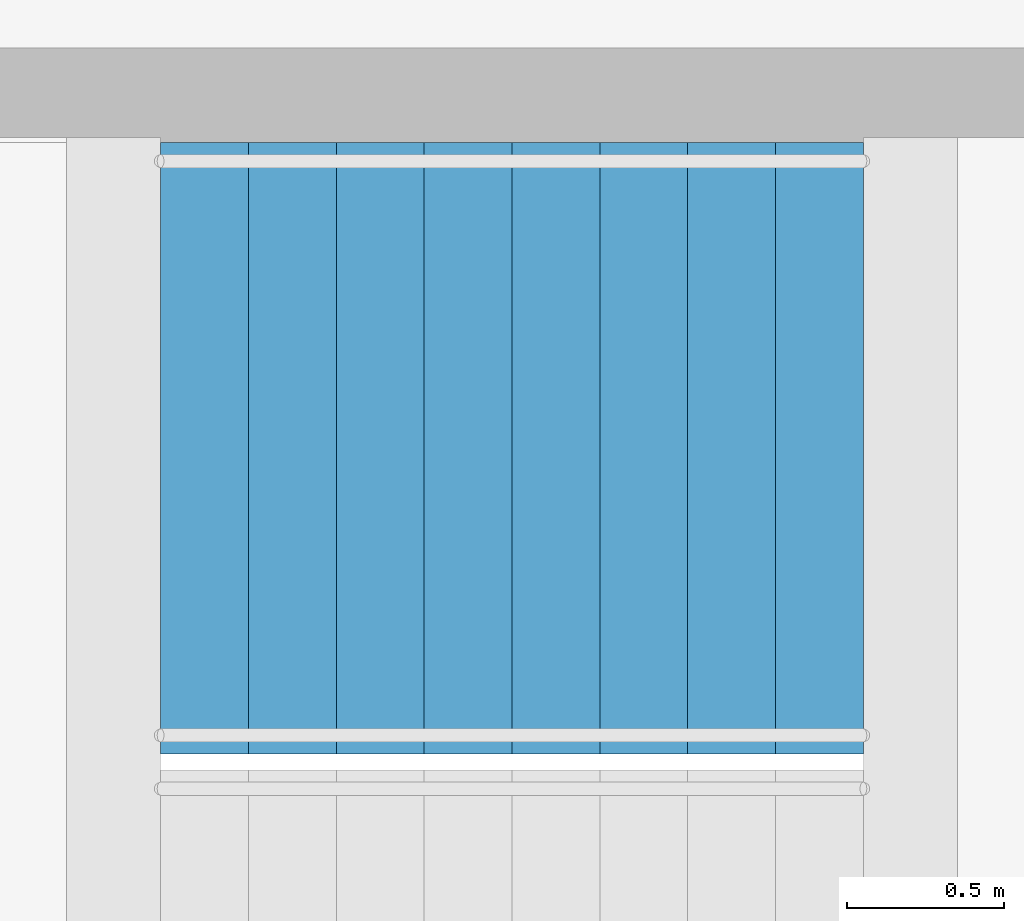
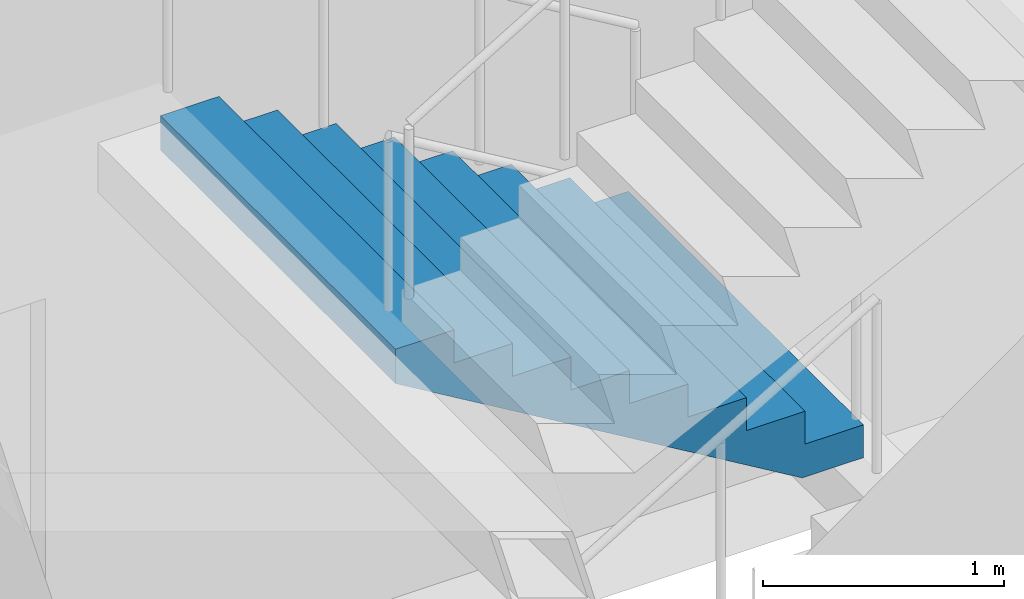
# One storey, part 31 of 57: 1 stair flight, 1 element without a shape of its own.
"""IFC4 building model written with IfcOpenShell, lengths in metres."""

import ifcopenshell
import ifcopenshell.guid

model = None  # the IFC model being written
_history = None  # IfcOwnerHistory: only IFC2X3 demands one
_inside = {}  # id of a spatial element -> (the spatial element, [elements in it])
_under = {}  # id of a project, library or spatial element -> (it, [spatial elements below it])
_declared = {}  # id of a project -> (the project, [libraries it declares])
_typed = {}  # id of a type object -> (the type object, [elements of that type])
_made_of = {}  # id of a material, layer set ... -> (it, [elements and type objects made of it])


def new_model(schema):
    """Start an empty IFC model of exactly this schema.

    Asked for "IFC4X3", IfcOpenShell would pick the latest addendum, in which some entities
    have other attributes; the version numbers below select the first issue.
    IFC2X3 requires an IfcOwnerHistory on every rooted entity: one is made here for all.
    """
    global model, _history
    if schema == "IFC4X3":
        model = ifcopenshell.file(schema_version=(4, 3, 0, 0))
    else:
        model = ifcopenshell.file(schema=schema)
    _inside.clear()
    _under.clear()
    _declared.clear()
    _typed.clear()
    _made_of.clear()
    _history = None
    if model.schema == "IFC2X3":
        org = make("IfcOrganization", Name="unknown")
        user = make(
            "IfcPersonAndOrganization",
            ThePerson=make("IfcPerson", FamilyName="unknown"),
            TheOrganization=org,
        )
        app = make(
            "IfcApplication",
            ApplicationDeveloper=org,
            Version="unknown",
            ApplicationFullName="unknown",
            ApplicationIdentifier="unknown",
        )
        _history = make(
            "IfcOwnerHistory",
            OwningUser=user,
            OwningApplication=app,
            ChangeAction="ADDED",
            CreationDate=0,
        )
    return model


def make(cls, **values):
    """One entity of the class cls with the attributes given. An attribute that is None is left unset."""
    return model.create_entity(
        cls, **{name: value for name, value in values.items() if value is not None}
    )


def rooted(cls, **values):
    """An entity with a GlobalId (a new one), such as an element, a storey or a relation."""
    return make(cls, GlobalId=ifcopenshell.guid.new(), OwnerHistory=_history, **values)


def si_unit(unit_type, name, prefix=None):
    """IfcSIUnit, for example si_unit("LENGTHUNIT", "METRE", prefix="MILLI")."""
    return make("IfcSIUnit", UnitType=unit_type, Prefix=prefix, Name=name)


def assignment(units):
    """IfcUnitAssignment: the units of a project."""
    return None if units is None else make("IfcUnitAssignment", Units=units)


def point(xyz):
    """IfcCartesianPoint."""
    return None if xyz is None else make("IfcCartesianPoint", Coordinates=xyz)


def direction(xyz):
    """IfcDirection."""
    return None if xyz is None else make("IfcDirection", DirectionRatios=xyz)


def frame(location, z_axis=None, x_axis=None):
    """IfcAxis2Placement3D, a coordinate frame: its origin and axes. An axis left out is left unset."""
    return make(
        "IfcAxis2Placement3D",
        Location=point(location),
        Axis=direction(z_axis),
        RefDirection=direction(x_axis),
    )


def origin():
    """The frame at (0, 0, 0) with its axes left unset."""
    return frame((0.0, 0.0, 0.0))


def place(relative_to, where):
    """IfcLocalPlacement: puts the frame where relative to a parent placement (None: the world)."""
    return make(
        "IfcLocalPlacement", PlacementRelTo=relative_to, RelativePlacement=where
    )


def context(
    kind, dimensions, precision=None, world=None, true_north=None, identifier=None
):
    """IfcGeometricRepresentationContext, for example the 3D "Model" context."""
    return make(
        "IfcGeometricRepresentationContext",
        ContextIdentifier=identifier,
        ContextType=kind,
        CoordinateSpaceDimension=dimensions,
        Precision=precision,
        WorldCoordinateSystem=world,
        TrueNorth=true_north,
    )


def subcontext(parent, identifier, kind, view, scale=None):
    """IfcGeometricRepresentationSubContext, for example "Body" below "Model"."""
    return make(
        "IfcGeometricRepresentationSubContext",
        ContextIdentifier=identifier,
        ContextType=kind,
        ParentContext=parent,
        TargetScale=scale,
        TargetView=view,
    )


def project(units=None, contexts=None):
    """IfcProject with its units and contexts."""
    return rooted(
        "IfcProject",
        Name="project",
        RepresentationContexts=contexts,
        UnitsInContext=assignment(units),
    )


def spatial(cls, under=None, at=None, **own):
    """A site, building, storey or space (cls), placed at a placement, below another one or the project."""
    s = rooted(cls, ObjectPlacement=at, **own)
    if under is not None:
        _under.setdefault(under.id(), (under, []))[1].append(s)
    return s


def point_list(points):
    """IfcCartesianPointList2D or 3D."""
    cls = (
        "IfcCartesianPointList2D" if len(points[0]) == 2 else "IfcCartesianPointList3D"
    )
    return make(cls, CoordList=points)


def triangles(points, corners, closed=None, point_numbers=None):
    """IfcTriangulatedFaceSet: each triangle names its three corners, points numbered from 1."""
    return make(
        "IfcTriangulatedFaceSet",
        Coordinates=point_list(points),
        Closed=closed,
        CoordIndex=corners,
        PnIndex=point_numbers,
    )


def shape(context_of_items, identifier, shape_type, items):
    """IfcShapeRepresentation: the items that make up one representation, for example the "Body"."""
    return make(
        "IfcShapeRepresentation",
        ContextOfItems=context_of_items,
        RepresentationIdentifier=identifier,
        RepresentationType=shape_type,
        Items=items,
    )


def material(Name=None, Category=None):
    """IfcMaterial."""
    return make("IfcMaterial", Name=Name, Category=Category)


def made_of(thing, what):
    """Note that an element or type object is made of a material, layer set ...; save() writes the relation."""
    if what is not None:
        _made_of.setdefault(what.id(), (what, []))[1].append(thing)
    return thing


def type_object(cls, material=None, **own):
    """A type object (cls), such as IfcWallType, which elements share."""
    return made_of(rooted(cls, **own), material)


def element(
    cls,
    number,
    at=None,
    inside=None,
    cuts=None,
    type_object=None,
    material=None,
    context=None,
    identifier="Body",
    shape_type=None,
    held_by="IfcProductDefinitionShape",
    body=None,
    shapes=None,
    **own,
):
    """One element of the class cls, such as IfcWall. Its Tag is "e" and its number.

    at: its placement. inside: the storey or other place that contains it. cuts: it is an
    opening in that element (IfcRelVoidsElement). A single representation is given by context,
    identifier, shape_type and body (its items); several are given by shapes. held_by: the class
    of the entity that holds the representations. save() writes the other relations.
    """
    e = rooted(cls, Tag="e%d" % number, ObjectPlacement=at, **own)
    if body is not None:
        shapes = [shape(context, identifier, shape_type, body)]
    if shapes is not None:
        e.Representation = make(held_by, Representations=shapes)
    if inside is not None:
        _inside.setdefault(inside.id(), (inside, []))[1].append(e)
    if cuts is not None:
        rooted(
            "IfcRelVoidsElement", RelatingBuildingElement=cuts, RelatedOpeningElement=e
        )
    if type_object is not None:
        _typed.setdefault(type_object.id(), (type_object, []))[1].append(e)
    return made_of(e, material)


def aggregate(whole, parts):
    """IfcRelAggregates: a whole, such as a stair, and the parts it consists of."""
    return rooted("IfcRelAggregates", RelatingObject=whole, RelatedObjects=parts)


def save(model, path):
    """Write the relations noted so far, then the file.

    IfcRelAggregates (storeys below a building ...), IfcRelContainedInSpatialStructure (elements
    in a storey), IfcRelDefinesByType, IfcRelAssociatesMaterial and IfcRelDeclares: one each for
    every whole, place, type object, material and project.
    """
    for whole, parts in _under.values():
        aggregate(whole, parts)
    for where, things in _inside.values():
        rooted(
            "IfcRelContainedInSpatialStructure",
            RelatedElements=things,
            RelatingStructure=where,
        )
    for kind, things in _typed.values():
        rooted("IfcRelDefinesByType", RelatedObjects=things, RelatingType=kind)
    for what, things in _made_of.values():
        rooted("IfcRelAssociatesMaterial", RelatedObjects=things, RelatingMaterial=what)
    for by, libraries in _declared.values():
        rooted("IfcRelDeclares", RelatingContext=by, RelatedDefinitions=libraries)
    model.write(path)


model = new_model("IFC4")

# Units and contexts
model_context = context("Model", 3, precision=1e-05, world=origin(), true_north=direction((0.0, 1.0)))
body_context = subcontext(model_context, "Body", "Model", "MODEL_VIEW")
ifc_project = project(units=[si_unit("LENGTHUNIT", "METRE"), si_unit("AREAUNIT", "SQUARE_METRE"), si_unit("VOLUMEUNIT", "CUBIC_METRE"), si_unit("PLANEANGLEUNIT", "RADIAN"), si_unit("MASSUNIT", "GRAM", prefix="KILO")], contexts=[model_context])

# Site, building, storey
site_placement = place(None, origin())
site = spatial("IfcSite", under=ifc_project, at=site_placement, CompositionType="ELEMENT")
building_placement = place(site_placement, origin())
building = spatial("IfcBuilding", under=site, at=building_placement, Name="Orbita Commons", CompositionType="ELEMENT")
storey_placement = place(building_placement, origin())
storey = spatial("IfcBuildingStorey", under=building, at=storey_placement, Name="L00", CompositionType="ELEMENT", Elevation=0.0)

# Stair, stair flight
ifc_material_1 = material(Name="Precast concrete C40/50", Category="concrete")
stair_type = type_object("IfcStairType", Name="Exit stair S1 4 flights 9 risers 167", PredefinedType="HALF_TURN_STAIR", material=ifc_material_1)
stair_placement = place(storey_placement, origin())
stair = element("IfcStair", 1, at=stair_placement, inside=storey, type_object=stair_type, Name="Exit stair S1 L00", PredefinedType="HALF_TURN_STAIR")
ifc_material_2 = material(Name="Precast concrete C40/50", Category="concrete")
stair_flight_type = type_object("IfcStairFlightType", Name="Stair flight 9 risers 167 x 280", PredefinedType="STRAIGHT", material=ifc_material_2)
stair_flight_placement = place(storey_placement, frame((22.68994140625, 29.27490234375, 1.5), z_axis=(0.0, 0.0, 1.0), x_axis=(-1.0, 0.0, 0.0)))
stair_flight = element("IfcStairFlight", 2, at=stair_flight_placement, type_object=stair_flight_type, Name="S1 flight 2", NumberOfRisers=9, NumberOfTreads=8, PredefinedType="STRAIGHT", RiserHeight=0.166666667, TreadLength=0.28, context=body_context, shape_type="Tessellation", body=[
    triangles([(0.0, 0.974976, 0.0), (0.0, 0.974976, 0.020833), (0.0, 0.81248, 0.020833), (0.0, 0.81248, 0.0), (0.0, 0.649984, 0.020833), (0.0, 0.649984, 0.0), (0.0, 0.487488, 0.020833), (0.0, 0.487488, 0.0), (0.0, 0.324992, 0.020833), (0.0, 0.324992, 0.0), (0.0, 0.162496, 0.020833), (0.0, 0.162496, 0.0), (0.0, 0.0, 0.020833), (0.0, 0.0, 0.0), (0.0, -0.162496, 0.020833), (0.0, -0.162496, 0.0), (0.0, -0.324992, 0.020833), (0.0, -0.324992, 0.0), (0.0, -0.487488, 0.020833), (0.0, -0.487488, 0.0), (0.0, -0.649984, 0.020833), (0.0, -0.649984, 0.0), (0.0, -0.81248, 0.020833), (0.0, -0.81248, 0.0), (0.0, -0.974976, 0.020833), (0.0, -0.974976, 0.0), (0.0, 0.974976, 0.041667), (0.0, 0.81248, 0.041667), (0.0, 0.649984, 0.041667), (0.0, 0.487488, 0.041667), (0.0, 0.324992, 0.041667), (0.0, 0.162496, 0.041667), (0.0, 0.0, 0.041667), (0.0, -0.162496, 0.041667), (0.0, -0.324992, 0.041667), (0.0, -0.487488, 0.041667), (0.0, -0.649984, 0.041667), (0.0, -0.81248, 0.041667), (0.0, -0.974976, 0.041667), (0.0, 0.974976, 0.0625), (0.0, 0.81248, 0.0625), (0.0, 0.649984, 0.0625), (0.0, 0.487488, 0.0625), (0.0, 0.324992, 0.0625), (0.0, 0.162496, 0.0625), (0.0, 0.0, 0.0625), (0.0, -0.162496, 0.0625), (0.0, -0.324992, 0.0625), (0.0, -0.487488, 0.0625), (0.0, -0.649984, 0.0625), (0.0, -0.81248, 0.0625), (0.0, -0.974976, 0.0625), (0.0, 0.974976, 0.083333), (0.0, 0.81248, 0.083333), (0.0, 0.649984, 0.083333), (0.0, 0.487488, 0.083333), (0.0, 0.324992, 0.083333), (0.0, 0.162496, 0.083333), (0.0, 0.0, 0.083333), (0.0, -0.162496, 0.083333), (0.0, -0.324992, 0.083333), (0.0, -0.487488, 0.083333), (0.0, -0.649984, 0.083333), (0.0, -0.81248, 0.083333), (0.0, -0.974976, 0.083333), (0.0, 0.974976, 0.104167), (0.0, 0.81248, 0.104167), (0.0, 0.649984, 0.104167), (0.0, 0.487488, 0.104167), (0.0, 0.324992, 0.104167), (0.0, 0.162496, 0.104167), (0.0, 0.0, 0.104167), (0.0, -0.162496, 0.104167), (0.0, -0.324992, 0.104167), (0.0, -0.487488, 0.104167), (0.0, -0.649984, 0.104167), (0.0, -0.81248, 0.104167), (0.0, -0.974976, 0.104167), (0.0, 0.974976, 0.125), (0.0, 0.81248, 0.125), (0.0, 0.649984, 0.125), (0.0, 0.487488, 0.125), (0.0, 0.324992, 0.125), (0.0, 0.162496, 0.125), (0.0, 0.0, 0.125), (0.0, -0.162496, 0.125), (0.0, -0.324992, 0.125), (0.0, -0.487488, 0.125), (0.0, -0.649984, 0.125), (0.0, -0.81248, 0.125), (0.0, -0.974976, 0.125), (0.0, 0.974976, 0.145833), (0.0, 0.81248, 0.145833), (0.0, 0.649984, 0.145833), (0.0, 0.487488, 0.145833), (0.0, 0.324992, 0.145833), (0.0, 0.162496, 0.145833), (0.0, 0.0, 0.145833), (0.0, -0.162496, 0.145833), (0.0, -0.324992, 0.145833), (0.0, -0.487488, 0.145833), (0.0, -0.649984, 0.145833), (0.0, -0.81248, 0.145833), (0.0, -0.974976, 0.145833), (0.0, 0.974976, 0.166667), (0.0, 0.81248, 0.166667), (0.0, 0.649984, 0.166667), (0.0, 0.487488, 0.166667), (0.0, 0.324992, 0.166667), (0.0, 0.162496, 0.166667), (0.0, 0.0, 0.166667), (0.0, -0.162496, 0.166667), (0.0, -0.324992, 0.166667), (0.0, -0.487488, 0.166667), (0.0, -0.649984, 0.166667), (0.0, -0.81248, 0.166667), (0.0, -0.974976, 0.166667), (0.28, 0.974976, 0.166667), (0.28, 0.81248, 0.166667), (0.28, 0.649984, 0.166667), (0.28, 0.487488, 0.166667), (0.28, 0.324992, 0.166667), (0.28, 0.162496, 0.166667), (0.28, 0.0, 0.166667), (0.28, -0.162496, 0.166667), (0.28, -0.324992, 0.166667), (0.28, -0.487488, 0.166667), (0.28, -0.649984, 0.166667), (0.28, -0.81248, 0.166667), (0.28, -0.974976, 0.166667), (0.28, 0.974976, 0.333333), (0.28, 0.81248, 0.333333), (0.28, 0.649984, 0.333333), (0.28, 0.487488, 0.333333), (0.28, 0.324992, 0.333333), (0.28, 0.162496, 0.333333), (0.28, 0.0, 0.333333), (0.28, -0.162496, 0.333333), (0.28, -0.324992, 0.333333), (0.28, -0.487488, 0.333333), (0.28, -0.649984, 0.333333), (0.28, -0.81248, 0.333333), (0.28, -0.974976, 0.333333), (0.56, 0.974976, 0.333333), (0.56, 0.81248, 0.333333), (0.56, 0.649984, 0.333333), (0.56, 0.487488, 0.333333), (0.56, 0.324992, 0.333333), (0.56, 0.162496, 0.333333), (0.56, 0.0, 0.333333), (0.56, -0.162496, 0.333333), (0.56, -0.324992, 0.333333), (0.56, -0.487488, 0.333333), (0.56, -0.649984, 0.333333), (0.56, -0.81248, 0.333333), (0.56, -0.974976, 0.333333), (0.56, 0.974976, 0.5), (0.56, 0.81248, 0.5), (0.56, 0.649984, 0.5), (0.56, 0.487488, 0.5), (0.56, 0.324992, 0.5), (0.56, 0.162496, 0.5), (0.56, 0.0, 0.5), (0.56, -0.162496, 0.5), (0.56, -0.324992, 0.5), (0.56, -0.487488, 0.5), (0.56, -0.649984, 0.5), (0.56, -0.81248, 0.5), (0.56, -0.974976, 0.5), (0.84, 0.974976, 0.5), (0.84, 0.81248, 0.5), (0.84, 0.649984, 0.5), (0.84, 0.487488, 0.5), (0.84, 0.324992, 0.5), (0.84, 0.162496, 0.5), (0.84, 0.0, 0.5), (0.84, -0.162496, 0.5), (0.84, -0.324992, 0.5), (0.84, -0.487488, 0.5), (0.84, -0.649984, 0.5), (0.84, -0.81248, 0.5), (0.84, -0.974976, 0.5), (0.84, 0.974976, 0.666667), (0.84, 0.81248, 0.666667), (0.84, 0.649984, 0.666667), (0.84, 0.487488, 0.666667), (0.84, 0.324992, 0.666667), (0.84, 0.162496, 0.666667), (0.84, 0.0, 0.666667), (0.84, -0.162496, 0.666667), (0.84, -0.324992, 0.666667), (0.84, -0.487488, 0.666667), (0.84, -0.649984, 0.666667), (0.84, -0.81248, 0.666667), (0.84, -0.974976, 0.666667), (1.12, 0.974976, 0.666667), (1.12, 0.81248, 0.666667), (1.12, 0.649984, 0.666667), (1.12, 0.487488, 0.666667), (1.12, 0.324992, 0.666667), (1.12, 0.162496, 0.666667), (1.12, 0.0, 0.666667), (1.12, -0.162496, 0.666667), (1.12, -0.324992, 0.666667), (1.12, -0.487488, 0.666667), (1.12, -0.649984, 0.666667), (1.12, -0.81248, 0.666667), (1.12, -0.974976, 0.666667), (1.12, 0.974976, 0.833333), (1.12, 0.81248, 0.833333), (1.12, 0.649984, 0.833333), (1.12, 0.487488, 0.833333), (1.12, 0.324992, 0.833333), (1.12, 0.162496, 0.833333), (1.12, 0.0, 0.833333), (1.12, -0.162496, 0.833333), (1.12, -0.324992, 0.833333), (1.12, -0.487488, 0.833333), (1.12, -0.649984, 0.833333), (1.12, -0.81248, 0.833333), (1.12, -0.974976, 0.833333), (1.4, 0.974976, 0.833333), (1.4, 0.81248, 0.833333), (1.4, 0.649984, 0.833333), (1.4, 0.487488, 0.833333), (1.4, 0.324992, 0.833333), (1.4, 0.162496, 0.833333), (1.4, 0.0, 0.833333), (1.4, -0.162496, 0.833333), (1.4, -0.324992, 0.833333), (1.4, -0.487488, 0.833333), (1.4, -0.649984, 0.833333), (1.4, -0.81248, 0.833333), (1.4, -0.974976, 0.833333), (1.4, 0.974976, 1.0), (1.4, 0.81248, 1.0), (1.4, 0.649984, 1.0), (1.4, 0.487488, 1.0), (1.4, 0.324992, 1.0), (1.4, 0.162496, 1.0), (1.4, 0.0, 1.0), (1.4, -0.162496, 1.0), (1.4, -0.324992, 1.0), (1.4, -0.487488, 1.0), (1.4, -0.649984, 1.0), (1.4, -0.81248, 1.0), (1.4, -0.974976, 1.0), (1.68, 0.974976, 1.0), (1.68, 0.81248, 1.0), (1.68, 0.649984, 1.0), (1.68, 0.487488, 1.0), (1.68, 0.324992, 1.0), (1.68, 0.162496, 1.0), (1.68, 0.0, 1.0), (1.68, -0.162496, 1.0), (1.68, -0.324992, 1.0), (1.68, -0.487488, 1.0), (1.68, -0.649984, 1.0), (1.68, -0.81248, 1.0), (1.68, -0.974976, 1.0), (1.68, 0.974976, 1.166667), (1.68, 0.81248, 1.166667), (1.68, 0.649984, 1.166667), (1.68, 0.487488, 1.166667), (1.68, 0.324992, 1.166667), (1.68, 0.162496, 1.166667), (1.68, 0.0, 1.166667), (1.68, -0.162496, 1.166667), (1.68, -0.324992, 1.166667), (1.68, -0.487488, 1.166667), (1.68, -0.649984, 1.166667), (1.68, -0.81248, 1.166667), (1.68, -0.974976, 1.166667), (1.96, 0.974976, 1.166667), (1.96, 0.81248, 1.166667), (1.96, 0.649984, 1.166667), (1.96, 0.487488, 1.166667), (1.96, 0.324992, 1.166667), (1.96, 0.162496, 1.166667), (1.96, 0.0, 1.166667), (1.96, -0.162496, 1.166667), (1.96, -0.324992, 1.166667), (1.96, -0.487488, 1.166667), (1.96, -0.649984, 1.166667), (1.96, -0.81248, 1.166667), (1.96, -0.974976, 1.166667), (1.96, 0.974976, 1.333333), (1.96, 0.81248, 1.333333), (1.96, 0.649984, 1.333333), (1.96, 0.487488, 1.333333), (1.96, 0.324992, 1.333333), (1.96, 0.162496, 1.333333), (1.96, 0.0, 1.333333), (1.96, -0.162496, 1.333333), (1.96, -0.324992, 1.333333), (1.96, -0.487488, 1.333333), (1.96, -0.649984, 1.333333), (1.96, -0.81248, 1.333333), (1.96, -0.974976, 1.333333), (2.24, 0.974976, 1.333333), (2.24, 0.81248, 1.333333), (2.24, 0.649984, 1.333333), (2.24, 0.487488, 1.333333), (2.24, 0.324992, 1.333333), (2.24, 0.162496, 1.333333), (2.24, 0.0, 1.333333), (2.24, -0.162496, 1.333333), (2.24, -0.324992, 1.333333), (2.24, -0.487488, 1.333333), (2.24, -0.649984, 1.333333), (2.24, -0.81248, 1.333333), (2.24, -0.974976, 1.333333), (2.24, 0.974976, 1.311527), (2.24, 0.81248, 1.311527), (2.24, 0.649984, 1.311527), (2.24, 0.487488, 1.311527), (2.24, 0.324992, 1.311527), (2.24, 0.162496, 1.311527), (2.24, 0.0, 1.311527), (2.24, -0.162496, 1.311527), (2.24, -0.324992, 1.311527), (2.24, -0.487488, 1.311527), (2.24, -0.649984, 1.311527), (2.24, -0.81248, 1.311527), (2.24, -0.974976, 1.311527), (2.24, 0.974976, 1.289721), (2.24, 0.81248, 1.289721), (2.24, 0.649984, 1.289721), (2.24, 0.487488, 1.289721), (2.24, 0.324992, 1.289721), (2.24, 0.162496, 1.289721), (2.24, 0.0, 1.289721), (2.24, -0.162496, 1.289721), (2.24, -0.324992, 1.289721), (2.24, -0.487488, 1.289721), (2.24, -0.649984, 1.289721), (2.24, -0.81248, 1.289721), (2.24, -0.974976, 1.289721), (2.24, 0.974976, 1.267915), (2.24, 0.81248, 1.267915), (2.24, 0.649984, 1.267915), (2.24, 0.487488, 1.267915), (2.24, 0.324992, 1.267915), (2.24, 0.162496, 1.267915), (2.24, 0.0, 1.267915), (2.24, -0.162496, 1.267915), (2.24, -0.324992, 1.267915), (2.24, -0.487488, 1.267915), (2.24, -0.649984, 1.267915), (2.24, -0.81248, 1.267915), (2.24, -0.974976, 1.267915), (2.24, 0.974976, 1.246109), (2.24, 0.81248, 1.246109), (2.24, 0.649984, 1.246109), (2.24, 0.487488, 1.246109), (2.24, 0.324992, 1.246109), (2.24, 0.162496, 1.246109), (2.24, 0.0, 1.246109), (2.24, -0.162496, 1.246109), (2.24, -0.324992, 1.246109), (2.24, -0.487488, 1.246109), (2.24, -0.649984, 1.246109), (2.24, -0.81248, 1.246109), (2.24, -0.974976, 1.246109), (2.24, 0.974976, 1.224303), (2.24, 0.81248, 1.224303), (2.24, 0.649984, 1.224303), (2.24, 0.487488, 1.224303), (2.24, 0.324992, 1.224303), (2.24, 0.162496, 1.224303), (2.24, 0.0, 1.224303), (2.24, -0.162496, 1.224303), (2.24, -0.324992, 1.224303), (2.24, -0.487488, 1.224303), (2.24, -0.649984, 1.224303), (2.24, -0.81248, 1.224303), (2.24, -0.974976, 1.224303), (2.24, 0.974976, 1.202497), (2.24, 0.81248, 1.202497), (2.24, 0.649984, 1.202497), (2.24, 0.487488, 1.202497), (2.24, 0.324992, 1.202497), (2.24, 0.162496, 1.202497), (2.24, 0.0, 1.202497), (2.24, -0.162496, 1.202497), (2.24, -0.324992, 1.202497), (2.24, -0.487488, 1.202497), (2.24, -0.649984, 1.202497), (2.24, -0.81248, 1.202497), (2.24, -0.974976, 1.202497), (2.24, 0.974976, 1.180691), (2.24, 0.81248, 1.180691), (2.24, 0.649984, 1.180691), (2.24, 0.487488, 1.180691), (2.24, 0.324992, 1.180691), (2.24, 0.162496, 1.180691), (2.24, 0.0, 1.180691), (2.24, -0.162496, 1.180691), (2.24, -0.324992, 1.180691), (2.24, -0.487488, 1.180691), (2.24, -0.649984, 1.180691), (2.24, -0.81248, 1.180691), (2.24, -0.974976, 1.180691), (2.24, 0.974976, 1.158885), (2.24, 0.81248, 1.158885), (2.24, 0.649984, 1.158885), (2.24, 0.487488, 1.158885), (2.24, 0.324992, 1.158885), (2.24, 0.162496, 1.158885), (2.24, 0.0, 1.158885), (2.24, -0.162496, 1.158885), (2.24, -0.324992, 1.158885), (2.24, -0.487488, 1.158885), (2.24, -0.649984, 1.158885), (2.24, -0.81248, 1.158885), (2.24, -0.974976, 1.158885), (0.293073, 0.974976, 0.0), (0.293073, 0.81248, 0.0), (0.293073, 0.649984, 0.0), (0.293073, 0.487488, 0.0), (0.293073, 0.324992, 0.0), (0.293073, 0.162496, 0.0), (0.293073, 0.0, 0.0), (0.293073, -0.162496, 0.0), (0.293073, -0.324992, 0.0), (0.293073, -0.487488, 0.0), (0.293073, -0.649984, 0.0), (0.293073, -0.81248, 0.0), (0.293073, -0.974976, 0.0)], [[3, 2, 1], [4, 3, 1], [5, 3, 4], [6, 5, 4], [7, 5, 6], [8, 7, 6], [9, 7, 8], [10, 9, 8], [11, 9, 10], [12, 11, 10], [13, 11, 12], [14, 13, 12], [15, 13, 14], [16, 15, 14], [17, 15, 16], [18, 17, 16], [19, 17, 18], [20, 19, 18], [21, 19, 20], [22, 21, 20], [23, 21, 22], [24, 23, 22], [25, 23, 24], [26, 25, 24], [28, 27, 2], [3, 28, 2], [29, 28, 3], [5, 29, 3], [30, 29, 5], [7, 30, 5], [31, 30, 7], [9, 31, 7], [32, 31, 9], [11, 32, 9], [33, 32, 11], [13, 33, 11], [34, 33, 13], [15, 34, 13], [35, 34, 15], [17, 35, 15], [36, 35, 17], [19, 36, 17], [37, 36, 19], [21, 37, 19], [38, 37, 21], [23, 38, 21], [39, 38, 23], [25, 39, 23], [41, 40, 27], [28, 41, 27], [42, 41, 28], [29, 42, 28], [43, 42, 29], [30, 43, 29], [44, 43, 30], [31, 44, 30], [45, 44, 31], [32, 45, 31], [46, 45, 32], [33, 46, 32], [47, 46, 33], [34, 47, 33], [48, 47, 34], [35, 48, 34], [49, 48, 35], [36, 49, 35], [50, 49, 36], [37, 50, 36], [51, 50, 37], [38, 51, 37], [52, 51, 38], [39, 52, 38], [54, 53, 40], [41, 54, 40], [55, 54, 41], [42, 55, 41], [56, 55, 42], [43, 56, 42], [57, 56, 43], [44, 57, 43], [58, 57, 44], [45, 58, 44], [59, 58, 45], [46, 59, 45], [60, 59, 46], [47, 60, 46], [61, 60, 47], [48, 61, 47], [62, 61, 48], [49, 62, 48], [63, 62, 49], [50, 63, 49], [64, 63, 50], [51, 64, 50], [65, 64, 51], [52, 65, 51], [67, 66, 53], [54, 67, 53], [68, 67, 54], [55, 68, 54], [69, 68, 55], [56, 69, 55], [70, 69, 56], [57, 70, 56], [71, 70, 57], [58, 71, 57], [72, 71, 58], [59, 72, 58], [73, 72, 59], [60, 73, 59], [74, 73, 60], [61, 74, 60], [75, 74, 61], [62, 75, 61], [76, 75, 62], [63, 76, 62], [77, 76, 63], [64, 77, 63], [78, 77, 64], [65, 78, 64], [80, 79, 66], [67, 80, 66], [81, 80, 67], [68, 81, 67], [82, 81, 68], [69, 82, 68], [83, 82, 69], [70, 83, 69], [84, 83, 70], [71, 84, 70], [85, 84, 71], [72, 85, 71], [86, 85, 72], [73, 86, 72], [87, 86, 73], [74, 87, 73], [88, 87, 74], [75, 88, 74], [89, 88, 75], [76, 89, 75], [90, 89, 76], [77, 90, 76], [91, 90, 77], [78, 91, 77], [93, 92, 79], [80, 93, 79], [94, 93, 80], [81, 94, 80], [95, 94, 81], [82, 95, 81], [96, 95, 82], [83, 96, 82], [97, 96, 83], [84, 97, 83], [98, 97, 84], [85, 98, 84], [99, 98, 85], [86, 99, 85], [100, 99, 86], [87, 100, 86], [101, 100, 87], [88, 101, 87], [102, 101, 88], [89, 102, 88], [103, 102, 89], [90, 103, 89], [104, 103, 90], [91, 104, 90], [106, 105, 92], [93, 106, 92], [107, 106, 93], [94, 107, 93], [108, 107, 94], [95, 108, 94], [109, 108, 95], [96, 109, 95], [110, 109, 96], [97, 110, 96], [111, 110, 97], [98, 111, 97], [112, 111, 98], [99, 112, 98], [113, 112, 99], [100, 113, 99], [114, 113, 100], [101, 114, 100], [115, 114, 101], [102, 115, 101], [116, 115, 102], [103, 116, 102], [117, 116, 103], [104, 117, 103], [119, 118, 105], [106, 119, 105], [120, 119, 106], [107, 120, 106], [121, 120, 107], [108, 121, 107], [122, 121, 108], [109, 122, 108], [123, 122, 109], [110, 123, 109], [124, 123, 110], [111, 124, 110], [125, 124, 111], [112, 125, 111], [126, 125, 112], [113, 126, 112], [127, 126, 113], [114, 127, 113], [128, 127, 114], [115, 128, 114], [129, 128, 115], [116, 129, 115], [130, 129, 116], [117, 130, 116], [132, 131, 118], [119, 132, 118], [133, 132, 119], [120, 133, 119], [134, 133, 120], [121, 134, 120], [135, 134, 121], [122, 135, 121], [136, 135, 122], [123, 136, 122], [137, 136, 123], [124, 137, 123], [138, 137, 124], [125, 138, 124], [139, 138, 125], [126, 139, 125], [140, 139, 126], [127, 140, 126], [141, 140, 127], [128, 141, 127], [142, 141, 128], [129, 142, 128], [143, 142, 129], [130, 143, 129], [145, 144, 131], [132, 145, 131], [146, 145, 132], [133, 146, 132], [147, 146, 133], [134, 147, 133], [148, 147, 134], [135, 148, 134], [149, 148, 135], [136, 149, 135], [150, 149, 136], [137, 150, 136], [151, 150, 137], [138, 151, 137], [152, 151, 138], [139, 152, 138], [153, 152, 139], [140, 153, 139], [154, 153, 140], [141, 154, 140], [155, 154, 141], [142, 155, 141], [156, 155, 142], [143, 156, 142], [158, 157, 144], [145, 158, 144], [159, 158, 145], [146, 159, 145], [160, 159, 146], [147, 160, 146], [161, 160, 147], [148, 161, 147], [162, 161, 148], [149, 162, 148], [163, 162, 149], [150, 163, 149], [164, 163, 150], [151, 164, 150], [165, 164, 151], [152, 165, 151], [166, 165, 152], [153, 166, 152], [167, 166, 153], [154, 167, 153], [168, 167, 154], [155, 168, 154], [169, 168, 155], [156, 169, 155], [171, 170, 157], [158, 171, 157], [172, 171, 158], [159, 172, 158], [173, 172, 159], [160, 173, 159], [174, 173, 160], [161, 174, 160], [175, 174, 161], [162, 175, 161], [176, 175, 162], [163, 176, 162], [177, 176, 163], [164, 177, 163], [178, 177, 164], [165, 178, 164], [179, 178, 165], [166, 179, 165], [180, 179, 166], [167, 180, 166], [181, 180, 167], [168, 181, 167], [182, 181, 168], [169, 182, 168], [184, 183, 170], [171, 184, 170], [185, 184, 171], [172, 185, 171], [186, 185, 172], [173, 186, 172], [187, 186, 173], [174, 187, 173], [188, 187, 174], [175, 188, 174], [189, 188, 175], [176, 189, 175], [190, 189, 176], [177, 190, 176], [191, 190, 177], [178, 191, 177], [192, 191, 178], [179, 192, 178], [193, 192, 179], [180, 193, 179], [194, 193, 180], [181, 194, 180], [195, 194, 181], [182, 195, 181], [197, 196, 183], [184, 197, 183], [198, 197, 184], [185, 198, 184], [199, 198, 185], [186, 199, 185], [200, 199, 186], [187, 200, 186], [201, 200, 187], [188, 201, 187], [202, 201, 188], [189, 202, 188], [203, 202, 189], [190, 203, 189], [204, 203, 190], [191, 204, 190], [205, 204, 191], [192, 205, 191], [206, 205, 192], [193, 206, 192], [207, 206, 193], [194, 207, 193], [208, 207, 194], [195, 208, 194], [210, 209, 196], [197, 210, 196], [211, 210, 197], [198, 211, 197], [212, 211, 198], [199, 212, 198], [213, 212, 199], [200, 213, 199], [214, 213, 200], [201, 214, 200], [215, 214, 201], [202, 215, 201], [216, 215, 202], [203, 216, 202], [217, 216, 203], [204, 217, 203], [218, 217, 204], [205, 218, 204], [219, 218, 205], [206, 219, 205], [220, 219, 206], [207, 220, 206], [221, 220, 207], [208, 221, 207], [223, 222, 209], [210, 223, 209], [224, 223, 210], [211, 224, 210], [225, 224, 211], [212, 225, 211], [226, 225, 212], [213, 226, 212], [227, 226, 213], [214, 227, 213], [228, 227, 214], [215, 228, 214], [229, 228, 215], [216, 229, 215], [230, 229, 216], [217, 230, 216], [231, 230, 217], [218, 231, 217], [232, 231, 218], [219, 232, 218], [233, 232, 219], [220, 233, 219], [234, 233, 220], [221, 234, 220], [236, 235, 222], [223, 236, 222], [237, 236, 223], [224, 237, 223], [238, 237, 224], [225, 238, 224], [239, 238, 225], [226, 239, 225], [240, 239, 226], [227, 240, 226], [241, 240, 227], [228, 241, 227], [242, 241, 228], [229, 242, 228], [243, 242, 229], [230, 243, 229], [244, 243, 230], [231, 244, 230], [245, 244, 231], [232, 245, 231], [246, 245, 232], [233, 246, 232], [247, 246, 233], [234, 247, 233], [249, 248, 235], [236, 249, 235], [250, 249, 236], [237, 250, 236], [251, 250, 237], [238, 251, 237], [252, 251, 238], [239, 252, 238], [253, 252, 239], [240, 253, 239], [254, 253, 240], [241, 254, 240], [255, 254, 241], [242, 255, 241], [256, 255, 242], [243, 256, 242], [257, 256, 243], [244, 257, 243], [258, 257, 244], [245, 258, 244], [259, 258, 245], [246, 259, 245], [260, 259, 246], [247, 260, 246], [262, 261, 248], [249, 262, 248], [263, 262, 249], [250, 263, 249], [264, 263, 250], [251, 264, 250], [265, 264, 251], [252, 265, 251], [266, 265, 252], [253, 266, 252], [267, 266, 253], [254, 267, 253], [268, 267, 254], [255, 268, 254], [269, 268, 255], [256, 269, 255], [270, 269, 256], [257, 270, 256], [271, 270, 257], [258, 271, 257], [272, 271, 258], [259, 272, 258], [273, 272, 259], [260, 273, 259], [275, 274, 261], [262, 275, 261], [276, 275, 262], [263, 276, 262], [277, 276, 263], [264, 277, 263], [278, 277, 264], [265, 278, 264], [279, 278, 265], [266, 279, 265], [280, 279, 266], [267, 280, 266], [281, 280, 267], [268, 281, 267], [282, 281, 268], [269, 282, 268], [283, 282, 269], [270, 283, 269], [284, 283, 270], [271, 284, 270], [285, 284, 271], [272, 285, 271], [286, 285, 272], [273, 286, 272], [288, 287, 274], [275, 288, 274], [289, 288, 275], [276, 289, 275], [290, 289, 276], [277, 290, 276], [291, 290, 277], [278, 291, 277], [292, 291, 278], [279, 292, 278], [293, 292, 279], [280, 293, 279], [294, 293, 280], [281, 294, 280], [295, 294, 281], [282, 295, 281], [296, 295, 282], [283, 296, 282], [297, 296, 283], [284, 297, 283], [298, 297, 284], [285, 298, 284], [299, 298, 285], [286, 299, 285], [301, 300, 287], [288, 301, 287], [302, 301, 288], [289, 302, 288], [303, 302, 289], [290, 303, 289], [304, 303, 290], [291, 304, 290], [305, 304, 291], [292, 305, 291], [306, 305, 292], [293, 306, 292], [307, 306, 293], [294, 307, 293], [308, 307, 294], [295, 308, 294], [309, 308, 295], [296, 309, 295], [310, 309, 296], [297, 310, 296], [311, 310, 297], [298, 311, 297], [312, 311, 298], [299, 312, 298], [314, 313, 300], [301, 314, 300], [315, 314, 301], [302, 315, 301], [316, 315, 302], [303, 316, 302], [317, 316, 303], [304, 317, 303], [318, 317, 304], [305, 318, 304], [319, 318, 305], [306, 319, 305], [320, 319, 306], [307, 320, 306], [321, 320, 307], [308, 321, 307], [322, 321, 308], [309, 322, 308], [323, 322, 309], [310, 323, 309], [324, 323, 310], [311, 324, 310], [325, 324, 311], [312, 325, 311], [327, 326, 313], [314, 327, 313], [328, 327, 314], [315, 328, 314], [329, 328, 315], [316, 329, 315], [330, 329, 316], [317, 330, 316], [331, 330, 317], [318, 331, 317], [332, 331, 318], [319, 332, 318], [333, 332, 319], [320, 333, 319], [334, 333, 320], [321, 334, 320], [335, 334, 321], [322, 335, 321], [336, 335, 322], [323, 336, 322], [337, 336, 323], [324, 337, 323], [338, 337, 324], [325, 338, 324], [340, 339, 326], [327, 340, 326], [341, 340, 327], [328, 341, 327], [342, 341, 328], [329, 342, 328], [343, 342, 329], [330, 343, 329], [344, 343, 330], [331, 344, 330], [345, 344, 331], [332, 345, 331], [346, 345, 332], [333, 346, 332], [347, 346, 333], [334, 347, 333], [348, 347, 334], [335, 348, 334], [349, 348, 335], [336, 349, 335], [350, 349, 336], [337, 350, 336], [351, 350, 337], [338, 351, 337], [353, 352, 339], [340, 353, 339], [354, 353, 340], [341, 354, 340], [355, 354, 341], [342, 355, 341], [356, 355, 342], [343, 356, 342], [357, 356, 343], [344, 357, 343], [358, 357, 344], [345, 358, 344], [359, 358, 345], [346, 359, 345], [360, 359, 346], [347, 360, 346], [361, 360, 347], [348, 361, 347], [362, 361, 348], [349, 362, 348], [363, 362, 349], [350, 363, 349], [364, 363, 350], [351, 364, 350], [366, 365, 352], [353, 366, 352], [367, 366, 353], [354, 367, 353], [368, 367, 354], [355, 368, 354], [369, 368, 355], [356, 369, 355], [370, 369, 356], [357, 370, 356], [371, 370, 357], [358, 371, 357], [372, 371, 358], [359, 372, 358], [373, 372, 359], [360, 373, 359], [374, 373, 360], [361, 374, 360], [375, 374, 361], [362, 375, 361], [376, 375, 362], [363, 376, 362], [377, 376, 363], [364, 377, 363], [379, 378, 365], [366, 379, 365], [380, 379, 366], [367, 380, 366], [381, 380, 367], [368, 381, 367], [382, 381, 368], [369, 382, 368], [383, 382, 369], [370, 383, 369], [384, 383, 370], [371, 384, 370], [385, 384, 371], [372, 385, 371], [386, 385, 372], [373, 386, 372], [387, 386, 373], [374, 387, 373], [388, 387, 374], [375, 388, 374], [389, 388, 375], [376, 389, 375], [390, 389, 376], [377, 390, 376], [392, 391, 378], [379, 392, 378], [393, 392, 379], [380, 393, 379], [394, 393, 380], [381, 394, 380], [395, 394, 381], [382, 395, 381], [396, 395, 382], [383, 396, 382], [397, 396, 383], [384, 397, 383], [398, 397, 384], [385, 398, 384], [399, 398, 385], [386, 399, 385], [400, 399, 386], [387, 400, 386], [401, 400, 387], [388, 401, 387], [402, 401, 388], [389, 402, 388], [403, 402, 389], [390, 403, 389], [405, 404, 391], [392, 405, 391], [406, 405, 392], [393, 406, 392], [407, 406, 393], [394, 407, 393], [408, 407, 394], [395, 408, 394], [409, 408, 395], [396, 409, 395], [410, 409, 396], [397, 410, 396], [411, 410, 397], [398, 411, 397], [412, 411, 398], [399, 412, 398], [413, 412, 399], [400, 413, 399], [414, 413, 400], [401, 414, 400], [415, 414, 401], [402, 415, 401], [416, 415, 402], [403, 416, 402], [418, 417, 404], [405, 418, 404], [419, 418, 405], [406, 419, 405], [420, 419, 406], [407, 420, 406], [421, 420, 407], [408, 421, 407], [422, 421, 408], [409, 422, 408], [423, 422, 409], [410, 423, 409], [424, 423, 410], [411, 424, 410], [425, 424, 411], [412, 425, 411], [426, 425, 412], [413, 426, 412], [427, 426, 413], [414, 427, 413], [428, 427, 414], [415, 428, 414], [429, 428, 415], [416, 429, 415], [4, 1, 417], [418, 4, 417], [6, 4, 418], [419, 6, 418], [8, 6, 419], [420, 8, 419], [10, 8, 420], [421, 10, 420], [12, 10, 421], [422, 12, 421], [14, 12, 422], [423, 14, 422], [16, 14, 423], [424, 16, 423], [18, 16, 424], [425, 18, 424], [20, 18, 425], [426, 20, 425], [22, 20, 426], [427, 22, 426], [24, 22, 427], [428, 24, 427], [26, 24, 428], [429, 26, 428], [404, 417, 1], [26, 429, 416], [391, 404, 1], [26, 416, 403], [378, 391, 1], [26, 403, 390], [365, 378, 1], [26, 390, 377], [352, 365, 1], [26, 377, 364], [339, 352, 1], [26, 364, 351], [326, 339, 1], [26, 351, 338], [313, 326, 1], [26, 338, 325], [287, 300, 313], [325, 312, 299], [274, 287, 313], [325, 299, 286], [248, 261, 274], [286, 273, 260], [248, 274, 313], [325, 286, 260], [222, 235, 248], [260, 247, 234], [222, 248, 313], [325, 260, 234], [196, 209, 222], [234, 221, 208], [196, 222, 313], [325, 234, 208], [170, 183, 196], [208, 195, 182], [170, 196, 313], [325, 208, 182], [144, 157, 170], [182, 169, 156], [144, 170, 313], [325, 182, 156], [118, 131, 144], [156, 143, 130], [118, 144, 313], [325, 156, 130], [118, 313, 1], [26, 325, 130], [92, 105, 118], [130, 117, 104], [79, 92, 118], [130, 104, 91], [66, 79, 118], [130, 91, 78], [53, 66, 118], [130, 78, 65], [40, 53, 118], [130, 65, 52], [27, 40, 118], [130, 52, 39], [2, 27, 118], [130, 39, 25], [1, 2, 118], [130, 25, 26]], closed=True),
])
aggregate(stair, [stair_flight])

save(model, "model.ifc")
